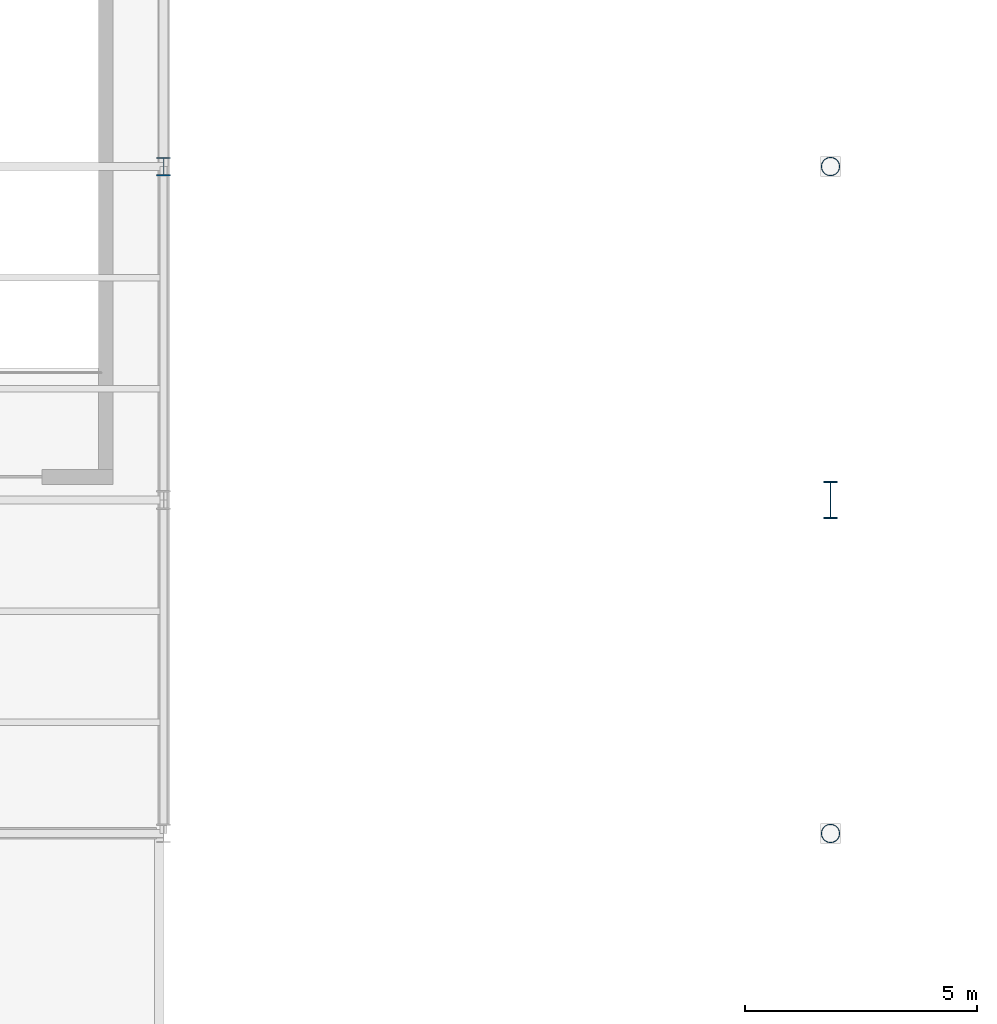
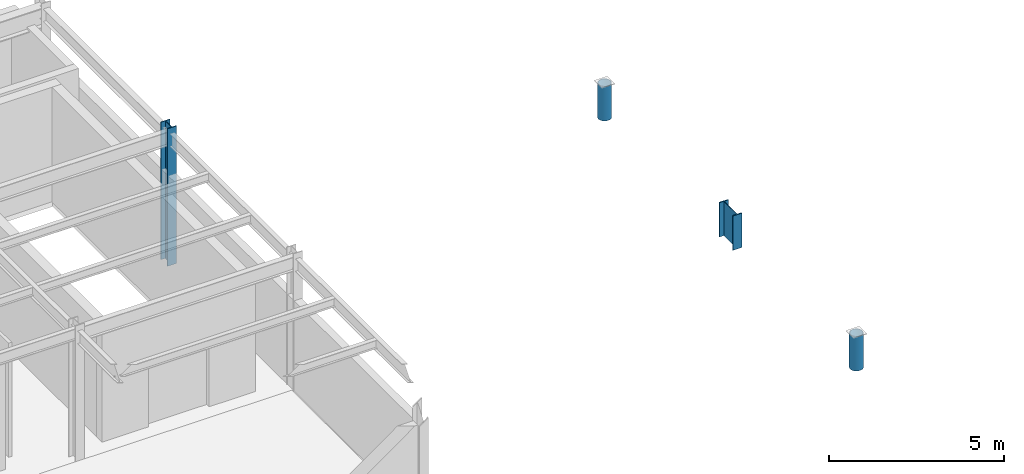
# One storey, part 4 of 41: 4 columns.
"""IFC4 building model written with IfcOpenShell, lengths in metres."""

from ifc_helpers import new_model, si_unit, direction, frame, origin, origin_2d, place, context, subcontext, project, spatial, hollow_circle, i_section, extrude, material, material_profile, profile_set, type_object, element, save


model = new_model("IFC4")

# Units and contexts
model_context = context("Model", 3, precision=1e-05, world=origin(), true_north=direction((0.0, 1.0)))
body_context = subcontext(model_context, "Body", "Model", "MODEL_VIEW")
ifc_project = project(units=[si_unit("LENGTHUNIT", "METRE"), si_unit("AREAUNIT", "SQUARE_METRE"), si_unit("VOLUMEUNIT", "CUBIC_METRE"), si_unit("PLANEANGLEUNIT", "RADIAN"), si_unit("MASSUNIT", "GRAM", prefix="KILO")], contexts=[model_context])

# Site, building, storey
site_placement = place(None, origin())
site = spatial("IfcSite", under=ifc_project, at=site_placement, CompositionType="ELEMENT")
building_placement = place(site_placement, origin())
building = spatial("IfcBuilding", under=site, at=building_placement, Name="Solvadek Multi-Sports Hall", CompositionType="ELEMENT")
storey_placement = place(building_placement, frame((0.0, 0.0, 14.39990234375)))
storey = spatial("IfcBuildingStorey", under=building, at=storey_placement, Name="L03", CompositionType="ELEMENT", Elevation=14.39990234375)

# Columns
ifc_material = material(Name="Steel E350 (350 MPa)", Category="steel")
ifc_material_profile_1 = material_profile(ifc_material, hollow_circle(Radius=0.203125, WallThickness=0.01611328125, at=origin_2d()), Name="CHS 406.4x16")
ifc_profile_set_1 = profile_set([ifc_material_profile_1], Name="Steel E350 (350 MPa)")
column_type_1 = type_object("IfcColumnType", Name="STR-COL-CHS406", PredefinedType="COLUMN", material=ifc_profile_set_1)
for number, where, z_axis, x_axis, name in (
    (1, (86.39990234375, 34.800048828125, 0.0), (0.0, 0.0, 1.0), (1.0, 0.0, 0.0), "L03 Column C-11 #179"),
    (2, (86.39990234375, 49.199951171875, 0.0), (0.0, 0.0, 1.0), (1.0, 0.0, 0.0), "L03 Column C-11 #181"),
):
    element("IfcColumn", number, at=place(storey_placement, frame(where, z_axis=z_axis, x_axis=x_axis)), inside=storey, type_object=column_type_1, Name=name, PredefinedType="COLUMN", context=body_context, shape_type="SweptSolid", body=[
        extrude(hollow_circle(Radius=0.203125, WallThickness=0.01611328125, at=origin_2d()), origin(), (0.0, 0.0, 1.0), 1.2001953125),
    ])
ifc_material_profile_2 = material_profile(ifc_material, i_section(OverallWidth=0.300048828125, OverallDepth=0.39990234375, WebThickness=0.013427734375, FlangeThickness=0.02392578125, at=origin_2d()), Name="WPB 400")
ifc_profile_set_2 = profile_set([ifc_material_profile_2], Name="Steel E350 (350 MPa)")
column_type_2 = type_object("IfcColumnType", Name="STR-COL-WPB400", PredefinedType="COLUMN", material=ifc_profile_set_2)
column_1_placement = place(storey_placement, frame((72.0, 49.199951171875, 0.0), z_axis=(0.0, 0.0, 1.0), x_axis=(1.0, 0.0, 0.0)))
element("IfcColumn", 3, at=column_1_placement, inside=storey, type_object=column_type_2, Name="L03 Column C-07 #151", PredefinedType="COLUMN", context=body_context, shape_type="SweptSolid", body=[
    extrude(i_section(OverallWidth=0.300048828125, OverallDepth=0.39990234375, WebThickness=0.013427734375, FlangeThickness=0.02392578125, at=origin_2d()), origin(), (0.0, 0.0, 1.0), 4.800048828125),
])
ifc_material_profile_3 = material_profile(ifc_material, i_section(OverallWidth=0.300048828125, OverallDepth=0.800048828125, WebThickness=0.017578125, FlangeThickness=0.032958984375, at=origin_2d()), Name="WPB 800")
ifc_profile_set_3 = profile_set([ifc_material_profile_3], Name="Steel E350 (350 MPa)")
column_type_3 = type_object("IfcColumnType", Name="STR-COL-WPB800", PredefinedType="COLUMN", material=ifc_profile_set_3)
column_2_placement = place(storey_placement, frame((86.39990234375, 42.0, 0.0), z_axis=(0.0, 0.0, 1.0), x_axis=(1.0, 0.0, 0.0)))
element("IfcColumn", 4, at=column_2_placement, inside=storey, type_object=column_type_3, Name="L03 Column C-01 #180", PredefinedType="COLUMN", context=body_context, shape_type="SweptSolid", body=[
    extrude(i_section(OverallWidth=0.300048828125, OverallDepth=0.800048828125, WebThickness=0.017578125, FlangeThickness=0.032958984375, at=origin_2d()), origin(), (0.0, 0.0, 1.0), 1.2001953125),
])

save(model, "model.ifc")
